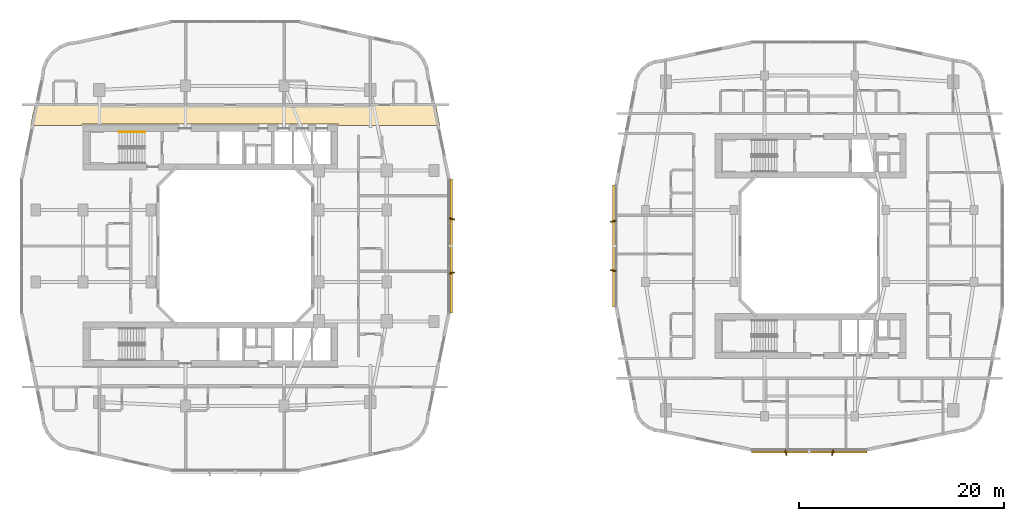
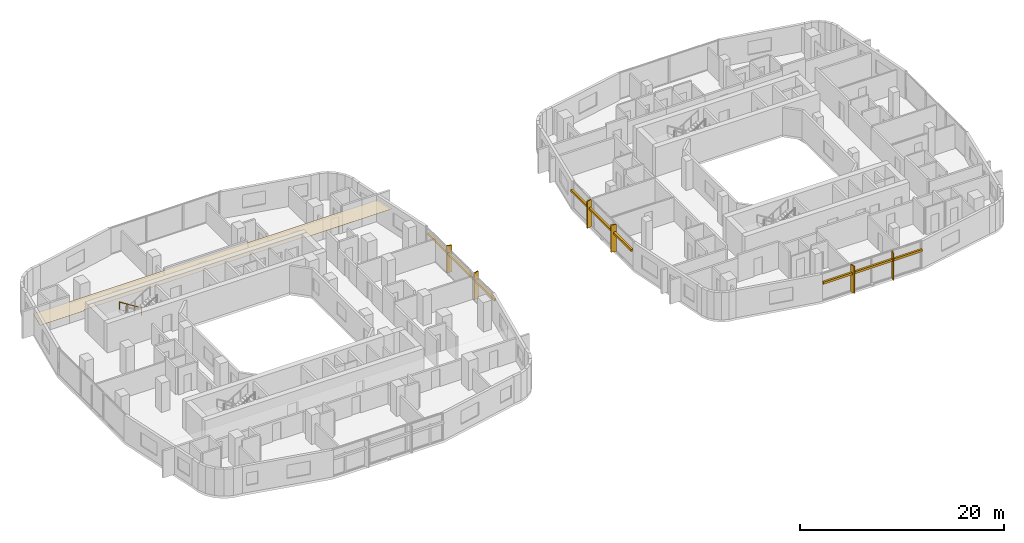
# One storey, part 26 of 27: 9 shading devices, 1 covering, 1 railing.
"""IFC4 building model written with IfcOpenShell, lengths in metres."""

from ifc_helpers import new_model, si_unit, derived_unit, direction, frame, origin, origin_2d, place, context, subcontext, project, spatial, polyline, rectangle, circle, outline, extrude, material, layer, layer_set, type_object, element, save


model = new_model("IFC4")

# Units and contexts
model_context = context("Model", 3, precision=1e-05, world=origin(), true_north=direction((0.0, 1.0)))
body_context = subcontext(model_context, "Body", "Model", "MODEL_VIEW")
ifc_project = project(units=[si_unit("LENGTHUNIT", "METRE"), si_unit("AREAUNIT", "SQUARE_METRE"), si_unit("VOLUMEUNIT", "CUBIC_METRE"), si_unit("PLANEANGLEUNIT", "RADIAN"), si_unit("MASSUNIT", "GRAM", prefix="KILO"), derived_unit("THERMALTRANSMITTANCEUNIT", [(si_unit("POWERUNIT", "WATT"), 1), (si_unit("LENGTHUNIT", "METRE"), -2), (si_unit("THERMODYNAMICTEMPERATUREUNIT", "KELVIN"), -1)])], contexts=[model_context])

# Site, building, storey
site_placement = place(None, origin())
site = spatial("IfcSite", under=ifc_project, at=site_placement, CompositionType="ELEMENT")
building_placement = place(site_placement, origin())
building = spatial("IfcBuilding", under=site, at=building_placement, Name="Kivonza Crest Hotel", CompositionType="ELEMENT")
storey_placement = place(building_placement, frame((0.0, 0.0, 31.0)))
storey = spatial("IfcBuildingStorey", under=building, at=storey_placement, Name="L07", CompositionType="ELEMENT", Elevation=31.0)

# Covering
ifc_material_1 = material(Name="Mineral-fibre acoustic ceiling tile", Category="gypsum")
ifc_layer = layer(ifc_material_1, 0.02490234375)
ifc_layer_set = layer_set([ifc_layer], Name="Mineral-fibre acoustic ceiling tile")
covering_type = type_object("IfcCoveringType", Name="CV-CEIL-ACOU", PredefinedType="CEILING", material=ifc_layer_set)
covering_placement = place(storey_placement, frame((0.0, 0.0, 2.449951171875)))
element("IfcCovering", 1, at=covering_placement, inside=storey, type_object=covering_type, Name="L07 Hotel North Guest Corridor suspended ceiling", PredefinedType="CEILING", context=body_context, shape_type="SweptSolid", body=[
    extrude(outline(polyline([(1.506103515625, 38.7900390625), (1.083984375, 36.719970703125), (6.10009765625, 36.719970703125), (6.10009765625, 36.860107421875), (31.10009765625, 36.860107421875), (31.10009765625, 36.719970703125), (40.99609375, 36.719970703125), (40.573974609375, 38.7900390625), (1.506103515625, 38.7900390625)])), origin(), (0.0, 0.0, 1.0), 0.025146484375),
])

# Railing
ifc_material_2 = material(Name="Brushed stainless steel handrail", Category="steel")
railing_type = type_object("IfcRailingType", Name="RL-HAND-900", PredefinedType="HANDRAIL", material=ifc_material_2)
railing_placement = place(storey_placement, frame((12.239990234375, 36.110107421875, 0.175048828125)))
element("IfcRailing", 2, at=railing_placement, inside=storey, type_object=railing_type, Name="L07 ST-T1-N stair handrail 1", PredefinedType="HANDRAIL", context=body_context, shape_type="SweptSolid", body=[
    extrude(circle(Radius=0.02392578125, at=origin_2d()), frame((0.0, 0.0, 0.8759765625), z_axis=(-0.848007534815, 0.0, 0.529984170421), x_axis=(0.0, -1.0, 0.0)), (0.0, 0.0, 1.0), 2.9716796875),
    extrude(circle(Radius=0.02099609375, at=origin_2d()), origin(), (0.0, 0.0, 1.0), 0.851806640625),
    extrude(circle(Radius=0.02099609375, at=origin_2d()), frame((-0.840087890625, 0.0, 0.52490234375)), (0.0, 0.0, 1.0), 0.851806640625),
    extrude(circle(Radius=0.02099609375, at=origin_2d()), frame((-1.679931640625, 0.0, 1.050048828125)), (0.0, 0.0, 1.0), 0.851806640625),
    extrude(circle(Radius=0.02099609375, at=origin_2d()), frame((-2.52001953125, 0.0, 1.574951171875)), (0.0, 0.0, 1.0), 0.851806640625),
])

# Shading devices
ifc_material_3 = material(Name="Kiln-fired Nairobi red-ochre terracotta", Category="masonry")
shading_device_type_1 = type_object("IfcShadingDeviceType", Name="SH-BAGUETTE-300", PredefinedType="USERDEFINED", material=ifc_material_3)
shading_device_1_placement = place(storey_placement, frame((42.080078125, 25.0, 2.1240234375), z_axis=(0.0, 0.0, 1.0), x_axis=(0.0, 1.0, 0.0)))
element("IfcShadingDevice", 3, at=shading_device_1_placement, inside=storey, type_object=shading_device_type_1, Name="L07 terracotta baguette screen CW-T1-L07-17", ObjectType="BAGUETTE", PredefinedType="USERDEFINED", context=body_context, shape_type="SweptSolid", body=[
    extrude(rectangle(XDim=13.080078125, YDim=0.219970703125, at=origin_2d()), origin(), (0.0, 0.0, 1.0), 0.260009765625),
])
shading_device_2_placement = place(storey_placement, frame((76.9599609375, 4.919921875, 2.14501953125), z_axis=(0.0, 0.0, 1.0), x_axis=(1.0, 0.0, 0.0)))
element("IfcShadingDevice", 4, at=shading_device_2_placement, inside=storey, type_object=shading_device_type_1, Name="L07 terracotta baguette screen CW-T2-L07-08", ObjectType="BAGUETTE", PredefinedType="USERDEFINED", context=body_context, shape_type="SweptSolid", body=[
    extrude(rectangle(XDim=11.256103515625, YDim=0.219970703125, at=origin_2d()), origin(), (0.0, 0.0, 1.0), 0.260009765625),
])
shading_device_3_placement = place(storey_placement, frame((57.919921875, 25.0, 2.14501953125), z_axis=(0.0, 0.0, 1.0), x_axis=(0.0, -1.0, 0.0)))
element("IfcShadingDevice", 5, at=shading_device_3_placement, inside=storey, type_object=shading_device_type_1, Name="L07 terracotta baguette screen CW-T2-L07-35", ObjectType="BAGUETTE", PredefinedType="USERDEFINED", context=body_context, shape_type="SweptSolid", body=[
    extrude(rectangle(XDim=11.8798828125, YDim=0.219970703125, at=origin_2d()), origin(), (0.0, 0.0, 1.0), 0.260009765625),
])
ifc_material_4 = material(Name="Kiln-fired terracotta over extruded aluminium spine", Category="masonry")
shading_device_type_2 = type_object("IfcShadingDeviceType", Name="SH-FIN-550", PredefinedType="USERDEFINED", material=ifc_material_4)
for number, where, z_axis, x_axis, name in (
    (6, (42.139892578125, 22.360107421875, 0.0), (0.0, 0.0, 1.0), (-0.2419218956, 0.970295726276, 0.0), "L07 vertical solar shading fin CW-T1-L07-17-1"),
    (7, (42.139892578125, 27.639892578125, 0.0), (0.0, 0.0, 1.0), (0.2419218956, 0.970295726276, 0.0), "L07 vertical solar shading fin CW-T1-L07-17-2"),
):
    element("IfcShadingDevice", number, at=place(storey_placement, frame(where, z_axis=z_axis, x_axis=x_axis)), inside=storey, type_object=shading_device_type_2, Name=name, ObjectType="FIN", PredefinedType="USERDEFINED", context=body_context, shape_type="SweptSolid", body=[
        extrude(rectangle(XDim=0.1201171875, YDim=0.550048828125, at=origin_2d()), origin(), (0.0, 0.0, 1.0), 3.219970703125),
    ])
for number, where, z_axis, x_axis, name in (
    (8, (74.68505859375, 4.860107421875, 0.0), (0.0, 0.0, 1.0), (0.970295726276, 0.2419218956, 0.0), "L07 vertical solar shading fin CW-T2-L07-08-1"),
    (9, (79.235107421875, 4.860107421875, 0.0), (0.0, 0.0, 1.0), (0.970295726276, -0.2419218956, 0.0), "L07 vertical solar shading fin CW-T2-L07-08-2"),
    (10, (57.860107421875, 27.39990234375, 0.0), (0.0, 0.0, 1.0), (0.2419218956, -0.970295726276, 0.0), "L07 vertical solar shading fin CW-T2-L07-35-1"),
    (11, (57.860107421875, 22.60009765625, 0.0), (0.0, 0.0, 1.0), (-0.2419218956, -0.970295726276, 0.0), "L07 vertical solar shading fin CW-T2-L07-35-2"),
):
    element("IfcShadingDevice", number, at=place(storey_placement, frame(where, z_axis=z_axis, x_axis=x_axis)), inside=storey, type_object=shading_device_type_2, Name=name, ObjectType="FIN", PredefinedType="USERDEFINED", context=body_context, shape_type="SweptSolid", body=[
        extrude(rectangle(XDim=0.1201171875, YDim=0.550048828125, at=origin_2d()), origin(), (0.0, 0.0, 1.0), 3.25),
    ])

save(model, "model.ifc")
